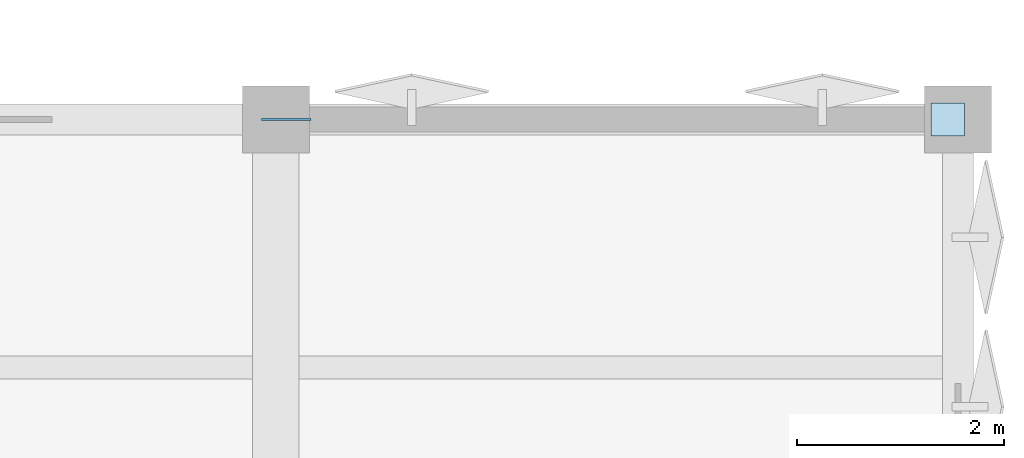
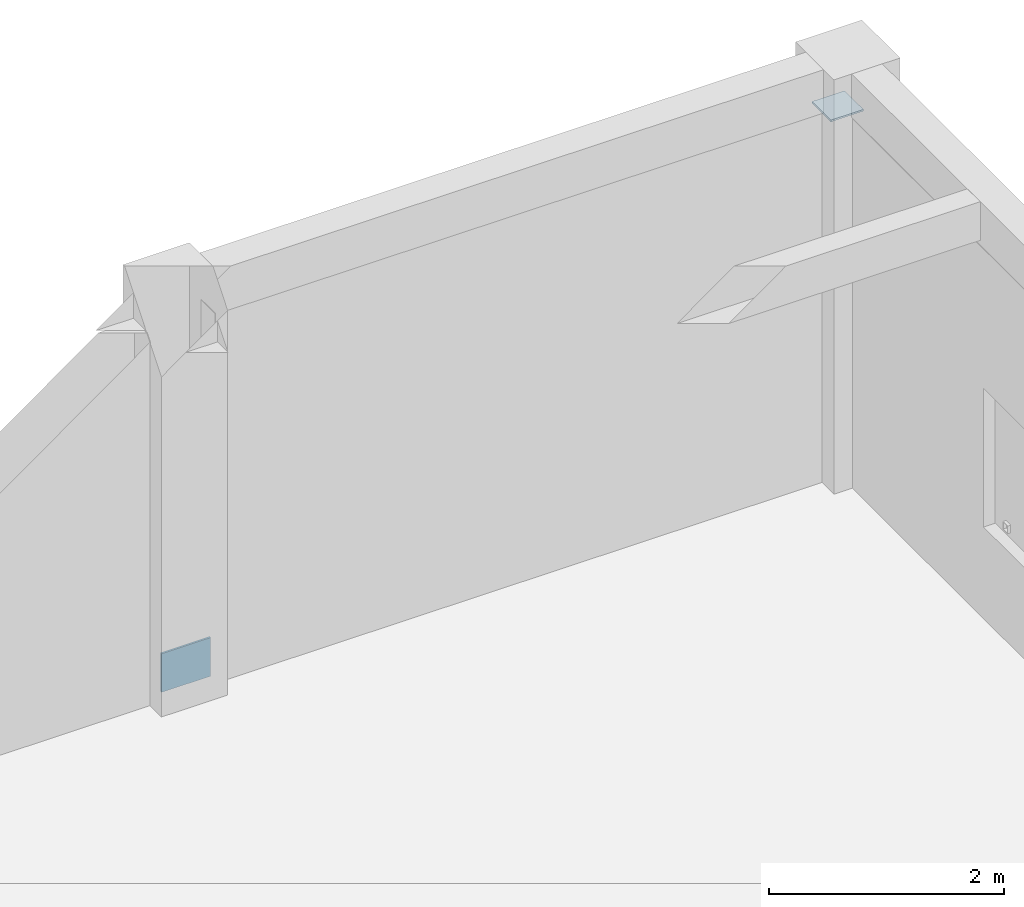
# One storey, part 26 of 39: 2 plates.
"""IFC4 building model written with IfcOpenShell, lengths in metres."""

from ifc_helpers import new_model, si_unit, direction, frame, origin, origin_2d, place, context, subcontext, project, spatial, rectangle, extrude, material, layer, layer_set, type_object, element, save


model = new_model("IFC4")

# Units and contexts
model_context = context("Model", 3, precision=1e-05, world=origin(), true_north=direction((0.0, 1.0)))
body_context = subcontext(model_context, "Body", "Model", "MODEL_VIEW")
ifc_project = project(units=[si_unit("LENGTHUNIT", "METRE"), si_unit("AREAUNIT", "SQUARE_METRE"), si_unit("VOLUMEUNIT", "CUBIC_METRE"), si_unit("PLANEANGLEUNIT", "RADIAN"), si_unit("MASSUNIT", "GRAM", prefix="KILO")], contexts=[model_context])

# Site, building, storey
site_placement = place(None, origin())
site = spatial("IfcSite", under=ifc_project, at=site_placement, CompositionType="ELEMENT")
building_placement = place(site_placement, origin())
building = spatial("IfcBuilding", under=site, at=building_placement, Name="Kharisveld Research Institute", CompositionType="ELEMENT")
storey_placement = place(building_placement, frame((0.0, 0.0, 18.60009765625)))
storey = spatial("IfcBuildingStorey", under=building, at=storey_placement, Name="L04", CompositionType="ELEMENT", Elevation=18.60009765625)

# Plates
ifc_material_1 = material(Name="Steel S355JR", Category="steel")
ifc_layer_1 = layer(ifc_material_1, 0.01806640625)
ifc_layer_set_1 = layer_set([ifc_layer_1], Name="PL_CAP_B")
plate_type_1 = type_object("IfcPlateType", Name="PL_CAP_B", PredefinedType="SHEET", material=ifc_layer_set_1)
plate_1_placement = place(storey_placement, frame((160.699951171875, 60.800048828125, 3.740966796875), z_axis=(0.0, 0.0, 1.0), x_axis=(1.0, 0.0, 0.0)))
element("IfcPlate", 1, at=plate_1_placement, inside=storey, type_object=plate_type_1, Name="PLT:V2:L04:CAP_6_3", PredefinedType="SHEET", context=body_context, shape_type="SweptSolid", body=[
    extrude(rectangle(XDim=0.320068359375, YDim=0.320068359375, at=origin_2d()), origin(), (0.0, 0.0, 1.0), 0.01806640625),
])
ifc_material_2 = material(Name="Steel S355JR", Category="steel")
ifc_layer_2 = layer(ifc_material_2, 0.02001953125)
ifc_layer_set_2 = layer_set([ifc_layer_2], Name="PL_GUS_B")
plate_type_2 = type_object("IfcPlateType", Name="PL_GUS_B", PredefinedType="USERDEFINED", material=ifc_layer_set_2)
plate_2_placement = place(storey_placement, frame((154.300048828125, 60.800048828125, 0.0), z_axis=(0.0, 0.0, 1.0), x_axis=(1.0, 0.0, 0.0)))
element("IfcPlate", 2, at=plate_2_placement, inside=storey, type_object=plate_type_2, Name="PLT:V2:L04:GUS_6_3", ObjectType="GUSSET PLATE", PredefinedType="USERDEFINED", context=body_context, shape_type="SweptSolid", body=[
    extrude(rectangle(XDim=0.47998046875, YDim=0.02001953125, at=origin_2d()), origin(), (0.0, 0.0, 1.0), 0.39990234375),
])

save(model, "model.ifc")
